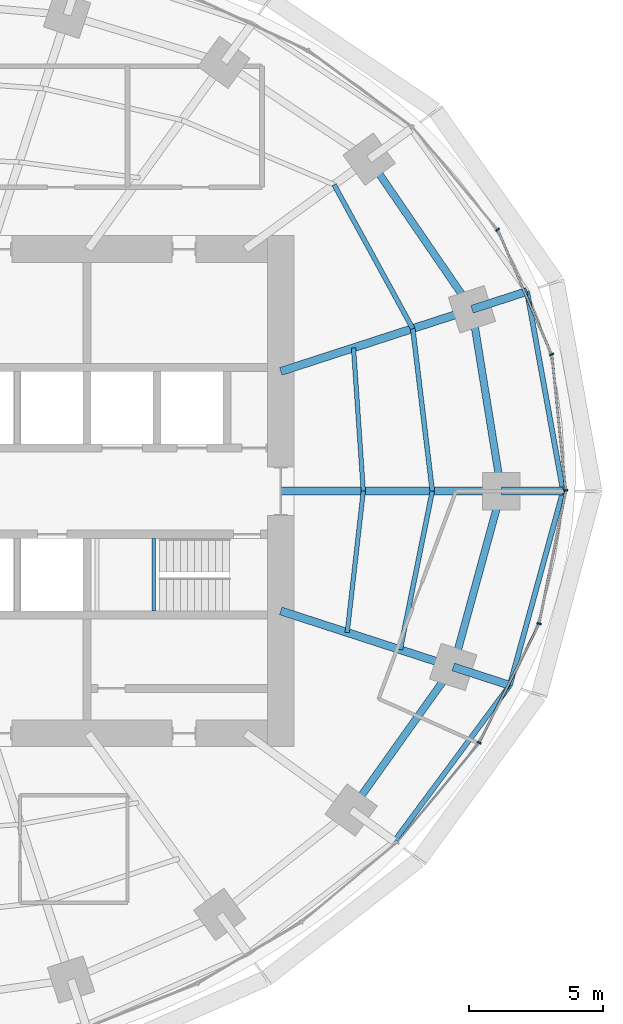
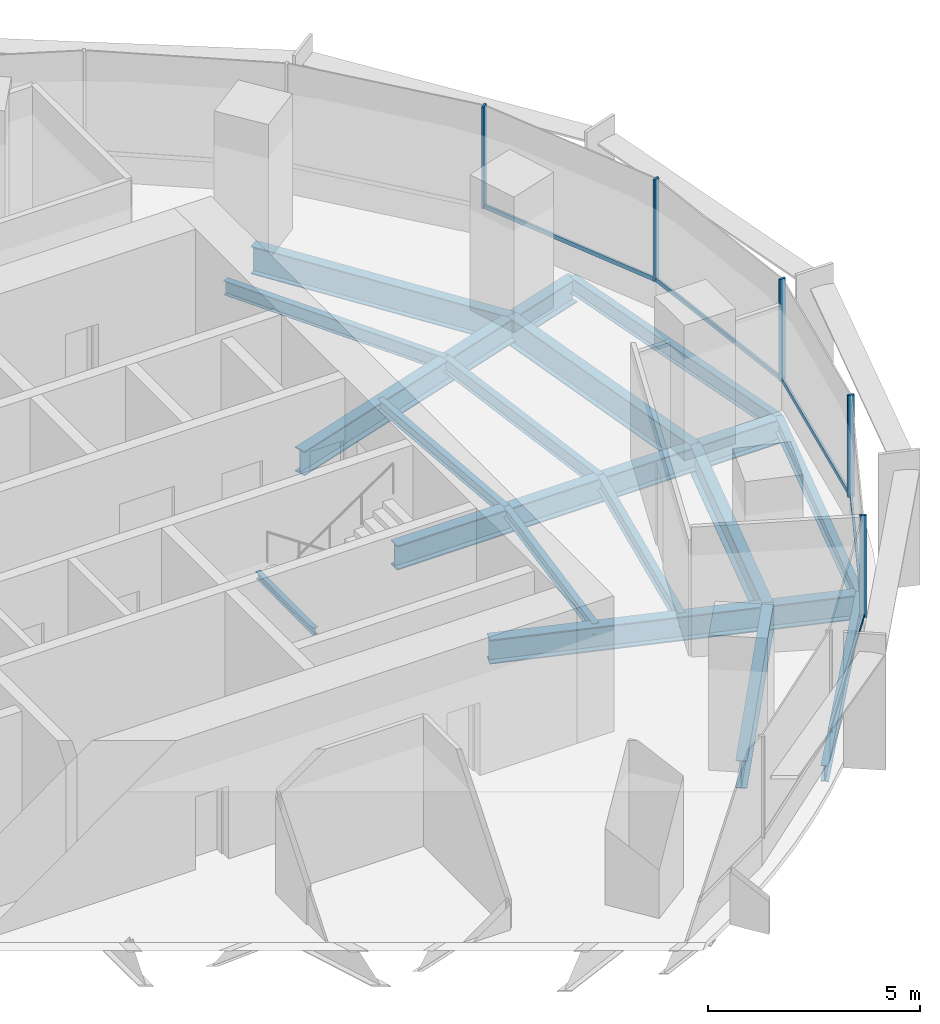
# One storey, part 6 of 14: 19 beams, 10 members, 2 elements without a shape of their own.
"""IFC4 building model written with IfcOpenShell, lengths in metres."""

from ifc_helpers import new_model, si_unit, direction, frame, origin, origin_2d, place, context, subcontext, project, spatial, rectangle, i_section, extrude, material, material_profile, profile_set, type_object, element, aggregate, save


model = new_model("IFC4")

# Units and contexts
model_context = context("Model", 3, precision=1e-05, world=origin(), true_north=direction((0.0, 1.0)))
body_context = subcontext(model_context, "Body", "Model", "MODEL_VIEW")
ifc_project = project(units=[si_unit("LENGTHUNIT", "METRE"), si_unit("AREAUNIT", "SQUARE_METRE"), si_unit("VOLUMEUNIT", "CUBIC_METRE"), si_unit("PLANEANGLEUNIT", "RADIAN"), si_unit("MASSUNIT", "GRAM", prefix="KILO")], contexts=[model_context])

# Site, building, storey
site_placement = place(None, origin())
site = spatial("IfcSite", under=ifc_project, at=site_placement, CompositionType="ELEMENT")
building_placement = place(site_placement, origin())
building = spatial("IfcBuilding", under=site, at=building_placement, Name="Marramba Exchange Tower", CompositionType="ELEMENT")
storey_placement = place(building_placement, frame((0.0, 0.0, 238.39990234375)))
storey = spatial("IfcBuildingStorey", under=building, at=storey_placement, Name="L58", CompositionType="ELEMENT", Elevation=238.39990234375)

# Beams
ifc_material_1 = material(Name="Steel AS/NZS 3679.2 grade 300", Category="steel")
ifc_material_profile_1 = material_profile(ifc_material_1, i_section(OverallWidth=0.300048828125, OverallDepth=0.699951171875, WebThickness=0.010009765625, FlangeThickness=0.031982421875, at=origin_2d()), Name="700WB173")
ifc_profile_set_1 = profile_set([ifc_material_profile_1], Name="Steel AS/NZS 3679.2 grade 300")
beam_type_1 = type_object("IfcBeamType", Name="Cantilever girder 700WB173", PredefinedType="BEAM", material=ifc_profile_set_1)
beam_1_placement = place(storey_placement, frame((21.89990234375, 0.0, -0.510009765625), z_axis=(1.0, 0.0, 0.0), x_axis=(0.0, 1.0, 0.0)))
element("IfcBeam", 1, at=beam_1_placement, inside=storey, type_object=beam_type_1, Name="Cantilever girder L58 TC01", PredefinedType="BEAM", context=body_context, shape_type="SweptSolid", body=[
    extrude(i_section(OverallWidth=0.300048828125, OverallDepth=0.699951171875, WebThickness=0.010009765625, FlangeThickness=0.031982421875, at=origin_2d()), origin(), (0.0, 0.0, 1.0), 2.294189453125),
])
beam_2_placement = place(storey_placement, frame((20.808349609375, 6.760986328125, -0.510009765625), z_axis=(0.951051587859, 0.309032162129, 0.0), x_axis=(-0.309032162129, 0.951051587859, 0.0)))
element("IfcBeam", 2, at=beam_2_placement, inside=storey, type_object=beam_type_1, Name="Cantilever girder L58 TC02", PredefinedType="BEAM", context=body_context, shape_type="SweptSolid", body=[
    extrude(i_section(OverallWidth=0.300048828125, OverallDepth=0.699951171875, WebThickness=0.010009765625, FlangeThickness=0.031982421875, at=origin_2d()), origin(), (0.0, 0.0, 1.0), 2.150390625),
])
beam_3_placement = place(storey_placement, frame((20.109375, -6.533935546875, -0.510009765625), z_axis=(0.951050283347, -0.309036176758, 0.0), x_axis=(0.309036176758, 0.951050283347, 0.0)))
element("IfcBeam", 3, at=beam_3_placement, inside=storey, type_object=beam_type_1, Name="Cantilever girder L58 TC20", PredefinedType="BEAM", context=body_context, shape_type="SweptSolid", body=[
    extrude(i_section(OverallWidth=0.300048828125, OverallDepth=0.699951171875, WebThickness=0.010009765625, FlangeThickness=0.031982421875, at=origin_2d()), origin(), (0.0, 0.0, 1.0), 2.212890625),
])
ifc_material_2 = material(Name="Steel AS/NZS 3679.1 grade 300", Category="steel")
ifc_material_profile_2 = material_profile(ifc_material_2, i_section(OverallWidth=0.166015625, OverallDepth=0.306884765625, WebThickness=0.006591796875, FlangeThickness=0.01171875, FilletRadius=0.011474609375, at=origin_2d()), Name="310UB46.2")
ifc_profile_set_2 = profile_set([ifc_material_profile_2], Name="Steel AS/NZS 3679.1 grade 300")
beam_type_2 = type_object("IfcBeamType", Name="Floor joist 310UB46.2", PredefinedType="JOIST", material=ifc_profile_set_2)
beam_4_placement = place(storey_placement, frame((16.7666015625, 0.0, -0.3134765625), z_axis=(-0.068096259546, 0.99767875563, 0.0), x_axis=(-0.99767875563, -0.068096259546, 0.0)))
element("IfcBeam", 4, at=beam_4_placement, inside=storey, type_object=beam_type_2, Name="Joist L58 bay 01 row 1", PredefinedType="JOIST", context=body_context, shape_type="SweptSolid", body=[
    extrude(i_section(OverallWidth=0.166015625, OverallDepth=0.306884765625, WebThickness=0.006591796875, FlangeThickness=0.01171875, FilletRadius=0.011474609375, at=origin_2d()), origin(), (0.0, 0.0, 1.0), 5.342041015625),
])
beam_5_placement = place(storey_placement, frame((16.169677734375, -5.25390625, -0.3134765625), z_axis=(0.112888968594, 0.993607609054, 0.0), x_axis=(-0.993607609054, 0.112888968594, 0.0)))
element("IfcBeam", 5, at=beam_5_placement, inside=storey, type_object=beam_type_2, Name="Joist L58 bay 20 row 1", PredefinedType="JOIST", context=body_context, shape_type="SweptSolid", body=[
    extrude(i_section(OverallWidth=0.166015625, OverallDepth=0.306884765625, WebThickness=0.006591796875, FlangeThickness=0.01171875, FilletRadius=0.011474609375, at=origin_2d()), origin(), (0.0, 0.0, 1.0), 5.28759765625),
])
ifc_material_profile_3 = material_profile(ifc_material_2, i_section(OverallWidth=0.177978515625, OverallDepth=0.406005859375, WebThickness=0.0078125, FlangeThickness=0.0126953125, FilletRadius=0.011474609375, at=origin_2d()), Name="410UB59.7")
ifc_profile_set_3 = profile_set([ifc_material_profile_3], Name="Steel AS/NZS 3679.1 grade 300")
beam_type_3 = type_object("IfcBeamType", Name="Floor joist 410UB59.7", PredefinedType="JOIST", material=ifc_profile_set_3)
beam_6_placement = place(storey_placement, frame((19.333251953125, 0.0, -0.36279296875), z_axis=(-0.119523078538, 0.992831422597, 0.0), x_axis=(-0.992831422597, -0.119523078538, 0.0)))
element("IfcBeam", 6, at=beam_6_placement, inside=storey, type_object=beam_type_3, Name="Joist L58 bay 01 row 2", PredefinedType="JOIST", context=body_context, shape_type="SweptSolid", body=[
    extrude(i_section(OverallWidth=0.177978515625, OverallDepth=0.406005859375, WebThickness=0.0078125, FlangeThickness=0.0126953125, FilletRadius=0.011474609375, at=origin_2d()), origin(), (0.0, 0.0, 1.0), 6.089111328125),
])
beam_7_placement = place(storey_placement, frame((18.60546875, 6.04541015625, -0.36279296875), z_axis=(-0.479584443791, 0.877495732909, 0.0), x_axis=(-0.877495732909, -0.479584443791, 0.0)))
element("IfcBeam", 7, at=beam_7_placement, inside=storey, type_object=beam_type_3, Name="Joist L58 bay 02 row 2", PredefinedType="JOIST", context=body_context, shape_type="SweptSolid", body=[
    extrude(i_section(OverallWidth=0.177978515625, OverallDepth=0.406005859375, WebThickness=0.0078125, FlangeThickness=0.0126953125, FilletRadius=0.011474609375, at=origin_2d()), origin(), (0.0, 0.0, 1.0), 6.094970703125),
])
beam_8_placement = place(storey_placement, frame((18.1396484375, -5.893798828125, -0.36279296875), z_axis=(0.198489047047, 0.980103105904, 0.0), x_axis=(-0.980103105904, 0.198489047047, 0.0)))
element("IfcBeam", 8, at=beam_8_placement, inside=storey, type_object=beam_type_3, Name="Joist L58 bay 20 row 2", PredefinedType="JOIST", context=body_context, shape_type="SweptSolid", body=[
    extrude(i_section(OverallWidth=0.177978515625, OverallDepth=0.406005859375, WebThickness=0.0078125, FlangeThickness=0.0126953125, FilletRadius=0.011474609375, at=origin_2d()), origin(), (0.0, 0.0, 1.0), 6.013427734375),
])

# Curtain wall, members
ifc_material_3 = material(Name="Aluminium framing, bronze anodised", Category="aluminium")
curtain_wall_type = type_object("IfcCurtainWallType", Name="Office ribbon curtain wall", PredefinedType="USERDEFINED", material=ifc_material_3)
curtain_wall_1_placement = place(storey_placement, origin())
curtain_wall_1 = element("IfcCurtainWall", 9, at=curtain_wall_1_placement, inside=storey, type_object=curtain_wall_type, Name="Curtain wall CW4 L58 F01-F05", ObjectType="RIBBON CURTAIN WALL", PredefinedType="USERDEFINED")
ifc_material_4 = material(Name="Aluminium mullion, bronze anodised", Category="aluminium")
ifc_material_profile_4 = material_profile(ifc_material_4, rectangle(XDim=0.159912109375, YDim=0.06005859375, at=origin_2d()), Name="CW4 mullion 60x160")
ifc_profile_set_4 = profile_set([ifc_material_profile_4], Name="Aluminium mullion, bronze anodised")
member_type_1 = type_object("IfcMemberType", Name="Office ribbon curtain wall mullion", PredefinedType="MULLION", material=ifc_profile_set_4)
member_1_placement = place(storey_placement, frame((24.291015625, 0.02978515625, 0.800048828125), z_axis=(0.0, 0.0, 1.0), x_axis=(-0.994843446001, -0.101422472607, 0.0)))
member_1 = element("IfcMember", 10, at=member_1_placement, type_object=member_type_1, Name="CW4 mullion 1", PredefinedType="MULLION", context=body_context, shape_type="SweptSolid", body=[
    extrude(rectangle(XDim=0.159912109375, YDim=0.06005859375, at=origin_2d()), origin(), (0.0, 0.0, 1.0), 2.93994140625),
])
member_2_placement = place(storey_placement, frame((23.766845703125, 5.081787109375, 0.800048828125), z_axis=(0.0, 0.0, 1.0), x_axis=(-0.918167104527, -0.396193346946, 0.0)))
member_2 = element("IfcMember", 11, at=member_2_placement, type_object=member_type_1, Name="CW4 mullion 1", PredefinedType="MULLION", context=body_context, shape_type="SweptSolid", body=[
    extrude(rectangle(XDim=0.159912109375, YDim=0.06005859375, at=origin_2d()), origin(), (0.0, 0.0, 1.0), 2.93994140625),
])
member_3_placement = place(storey_placement, frame((21.757080078125, 9.718505859375, 0.800048828125), z_axis=(0.0, 0.0, 1.0), x_axis=(-0.770574258342, -0.637350227411, 0.0)))
member_3 = element("IfcMember", 12, at=member_3_placement, type_object=member_type_1, Name="CW4 mullion 1", PredefinedType="MULLION", context=body_context, shape_type="SweptSolid", body=[
    extrude(rectangle(XDim=0.159912109375, YDim=0.06005859375, at=origin_2d()), origin(), (0.0, 0.0, 1.0), 2.93994140625),
])

curtain_wall_2_placement = place(storey_placement, origin())
curtain_wall_2 = element("IfcCurtainWall", 13, at=curtain_wall_2_placement, inside=storey, type_object=curtain_wall_type, Name="Curtain wall CW4 L58 F26-F30", ObjectType="RIBBON CURTAIN WALL", PredefinedType="USERDEFINED")
member_4_placement = place(storey_placement, frame((21.07568359375, -9.3505859375, 0.800048828125), z_axis=(0.0, 0.0, 1.0), x_axis=(-0.892689067591, 0.450673083956, 0.0)))
member_4 = element("IfcMember", 14, at=member_4_placement, type_object=member_type_1, Name="CW4 mullion 1", PredefinedType="MULLION", context=body_context, shape_type="SweptSolid", body=[
    extrude(rectangle(XDim=0.159912109375, YDim=0.06005859375, at=origin_2d()), origin(), (0.0, 0.0, 1.0), 2.93994140625),
])
member_5_placement = place(storey_placement, frame((23.30224609375, -4.92236328125, 0.800048828125), z_axis=(0.0, 0.0, 1.0), x_axis=(-0.980303812539, 0.197495405316, 0.0)))
member_5 = element("IfcMember", 15, at=member_5_placement, type_object=member_type_1, Name="CW4 mullion 1", PredefinedType="MULLION", context=body_context, shape_type="SweptSolid", body=[
    extrude(rectangle(XDim=0.159912109375, YDim=0.06005859375, at=origin_2d()), origin(), (0.0, 0.0, 1.0), 2.93994140625),
])

# Member
ifc_material_5 = material(Name="Aluminium transom, bronze anodised", Category="aluminium")
ifc_material_profile_5 = material_profile(ifc_material_5, rectangle(XDim=0.06005859375, YDim=0.1201171875, at=origin_2d()), Name="CW4 transom 60x120")
ifc_profile_set_5 = profile_set([ifc_material_profile_5], Name="Aluminium transom, bronze anodised")
member_type_2 = type_object("IfcMemberType", Name="Office ribbon curtain wall transom", PredefinedType="USERDEFINED", material=ifc_profile_set_5)
member_6_placement = place(storey_placement, frame((24.287841796875, 0.0595703125, 0.830078125), z_axis=(-0.101386007846, 0.994847162841, 0.0), x_axis=(-0.994847162841, -0.101386007846, 0.0)))
member_6 = element("IfcMember", 16, at=member_6_placement, type_object=member_type_2, Name="CW4 sill transom", ObjectType="TRANSOM", PredefinedType="USERDEFINED", context=body_context, shape_type="SweptSolid", body=[
    extrude(rectangle(XDim=0.06005859375, YDim=0.1201171875, at=origin_2d()), origin(), (0.0, 0.0, 1.0), 5.020751953125),
])

member_7_placement = place(storey_placement, frame((23.7548828125, 5.109375, 0.830078125), z_axis=(-0.396177573744, 0.918173910576, 0.0), x_axis=(-0.918173910576, -0.396177573744, 0.0)))
member_7 = element("IfcMember", 17, at=member_7_placement, type_object=member_type_2, Name="CW4 sill transom", ObjectType="TRANSOM", PredefinedType="USERDEFINED", context=body_context, shape_type="SweptSolid", body=[
    extrude(rectangle(XDim=0.06005859375, YDim=0.1201171875, at=origin_2d()), origin(), (0.0, 0.0, 1.0), 4.99462890625),
])

aggregate(curtain_wall_1, [member_1, member_6, member_2, member_7, member_3])

member_8_placement = place(storey_placement, frame((18.03515625, -13.029296875, 0.830078125), z_axis=(0.638146908901, 0.76991462037, 0.0), x_axis=(-0.76991462037, 0.638146908901, 0.0)))
member_8 = element("IfcMember", 18, at=member_8_placement, type_object=member_type_2, Name="CW4 sill transom", ObjectType="TRANSOM", PredefinedType="USERDEFINED", context=body_context, shape_type="SweptSolid", body=[
    extrude(rectangle(XDim=0.06005859375, YDim=0.1201171875, at=origin_2d()), origin(), (0.0, 0.0, 1.0), 4.7431640625),
])

member_9_placement = place(storey_placement, frame((21.089111328125, -9.323974609375, 0.830078125), z_axis=(0.450679681949, 0.892685736572, 0.0), x_axis=(-0.892685736572, 0.450679681949, 0.0)))
member_9 = element("IfcMember", 19, at=member_9_placement, type_object=member_type_2, Name="CW4 sill transom", ObjectType="TRANSOM", PredefinedType="USERDEFINED", context=body_context, shape_type="SweptSolid", body=[
    extrude(rectangle(XDim=0.06005859375, YDim=0.1201171875, at=origin_2d()), origin(), (0.0, 0.0, 1.0), 4.897705078125),
])

member_10_placement = place(storey_placement, frame((23.308349609375, -4.89306640625, 0.830078125), z_axis=(0.197461053167, 0.980310732616, 0.0), x_axis=(-0.980310732616, 0.197461053167, 0.0)))
member_10 = element("IfcMember", 20, at=member_10_placement, type_object=member_type_2, Name="CW4 sill transom", ObjectType="TRANSOM", PredefinedType="USERDEFINED", context=body_context, shape_type="SweptSolid", body=[
    extrude(rectangle(XDim=0.06005859375, YDim=0.1201171875, at=origin_2d()), origin(), (0.0, 0.0, 1.0), 4.991455078125),
])

aggregate(curtain_wall_2, [member_8, member_4, member_9, member_5, member_10])

# Beams
ifc_material_profile_6 = material_profile(ifc_material_1, i_section(OverallWidth=0.300048828125, OverallDepth=0.699951171875, WebThickness=0.010009765625, FlangeThickness=0.031982421875, at=origin_2d()), Name="700WB173")
ifc_profile_set_6 = profile_set([ifc_material_profile_6], Name="Steel AS/NZS 3679.2 grade 300")
beam_type_4 = type_object("IfcBeamType", Name="Radial girder 700WB173", PredefinedType="BEAM", material=ifc_profile_set_6)
beam_9_placement = place(storey_placement, frame((13.699951171875, 0.0, -0.510009765625), z_axis=(1.0, 0.0, 0.0), x_axis=(0.0, 1.0, 0.0)))
element("IfcBeam", 21, at=beam_9_placement, inside=storey, type_object=beam_type_4, Name="Radial girder L58 TC01", PredefinedType="BEAM", context=body_context, shape_type="SweptSolid", body=[
    extrude(i_section(OverallWidth=0.300048828125, OverallDepth=0.699951171875, WebThickness=0.010009765625, FlangeThickness=0.031982421875, at=origin_2d()), origin(), (0.0, 0.0, 1.0), 8.199951171875),
])
beam_10_placement = place(storey_placement, frame((13.699951171875, 4.451416015625, -0.510009765625), z_axis=(0.951059990189, 0.309006302624, 0.0), x_axis=(-0.309006302624, 0.951059990189, 0.0)))
element("IfcBeam", 22, at=beam_10_placement, inside=storey, type_object=beam_type_4, Name="Radial girder L58 TC02", PredefinedType="BEAM", context=body_context, shape_type="SweptSolid", body=[
    extrude(i_section(OverallWidth=0.300048828125, OverallDepth=0.699951171875, WebThickness=0.010009765625, FlangeThickness=0.031982421875, at=origin_2d()), origin(), (0.0, 0.0, 1.0), 7.47412109375),
])
beam_11_placement = place(storey_placement, frame((13.699951171875, -4.451416015625, -0.510009765625), z_axis=(0.951057759669, -0.309013167637, 0.0), x_axis=(0.309013167637, 0.951057759669, 0.0)))
element("IfcBeam", 23, at=beam_11_placement, inside=storey, type_object=beam_type_4, Name="Radial girder L58 TC20", PredefinedType="BEAM", context=body_context, shape_type="SweptSolid", body=[
    extrude(i_section(OverallWidth=0.300048828125, OverallDepth=0.699951171875, WebThickness=0.010009765625, FlangeThickness=0.031982421875, at=origin_2d()), origin(), (0.0, 0.0, 1.0), 6.7392578125),
])
ifc_material_profile_7 = material_profile(ifc_material_1, i_section(OverallWidth=0.27490234375, OverallDepth=0.800048828125, WebThickness=0.010009765625, FlangeThickness=0.02490234375, at=origin_2d()), Name="800WB168")
ifc_profile_set_7 = profile_set([ifc_material_profile_7], Name="Steel AS/NZS 3679.2 grade 300")
beam_type_5 = type_object("IfcBeamType", Name="Ring beam 800WB168", PredefinedType="SPANDREL", material=ifc_profile_set_7)
beam_12_placement = place(storey_placement, frame((21.89990234375, 0.0, -0.559814453125), z_axis=(-0.159384865399, 0.987216523708, 0.0), x_axis=(-0.987216523708, -0.159384865399, 0.0)))
element("IfcBeam", 24, at=beam_12_placement, inside=storey, type_object=beam_type_5, Name="Ring beam L58 TC01-TC02", PredefinedType="SPANDREL", context=body_context, shape_type="SweptSolid", body=[
    extrude(i_section(OverallWidth=0.27490234375, OverallDepth=0.800048828125, WebThickness=0.010009765625, FlangeThickness=0.02490234375, at=origin_2d()), origin(), (0.0, 0.0, 1.0), 6.8486328125),
])
beam_13_placement = place(storey_placement, frame((20.808349609375, 6.760986328125, -0.559814453125), z_axis=(-0.56516002054, 0.824981303535, 0.0), x_axis=(-0.824981303535, -0.56516002054, 0.0)))
element("IfcBeam", 25, at=beam_13_placement, inside=storey, type_object=beam_type_5, Name="Ring beam L58 TC02-TC03", PredefinedType="SPANDREL", context=body_context, shape_type="SweptSolid", body=[
    extrude(i_section(OverallWidth=0.27490234375, OverallDepth=0.800048828125, WebThickness=0.010009765625, FlangeThickness=0.02490234375, at=origin_2d()), origin(), (0.0, 0.0, 1.0), 6.763671875),
])
beam_14_placement = place(storey_placement, frame((16.3154296875, -11.853759765625, -0.559814453125), z_axis=(0.580637181111, 0.814162430914, 0.0), x_axis=(-0.814162430914, 0.580637181111, 0.0)))
element("IfcBeam", 26, at=beam_14_placement, inside=storey, type_object=beam_type_5, Name="Ring beam L58 TC19-TC20", PredefinedType="SPANDREL", context=body_context, shape_type="SweptSolid", body=[
    extrude(i_section(OverallWidth=0.27490234375, OverallDepth=0.800048828125, WebThickness=0.010009765625, FlangeThickness=0.02490234375, at=origin_2d()), origin(), (0.0, 0.0, 1.0), 6.5341796875),
])
beam_15_placement = place(storey_placement, frame((20.109375, -6.533935546875, -0.559814453125), z_axis=(0.264291166956, 0.964442937176, 0.0), x_axis=(-0.964442937176, 0.264291166956, 0.0)))
element("IfcBeam", 27, at=beam_15_placement, inside=storey, type_object=beam_type_5, Name="Ring beam L58 TC20-TC01", PredefinedType="SPANDREL", context=body_context, shape_type="SweptSolid", body=[
    extrude(i_section(OverallWidth=0.27490234375, OverallDepth=0.800048828125, WebThickness=0.010009765625, FlangeThickness=0.02490234375, at=origin_2d()), origin(), (0.0, 0.0, 1.0), 6.77490234375),
])
ifc_material_profile_8 = material_profile(ifc_material_2, i_section(OverallWidth=0.19091796875, OverallDepth=0.4599609375, WebThickness=0.010009765625, FlangeThickness=0.01611328125, FilletRadius=0.011474609375, at=origin_2d()), Name="460UB82.1")
ifc_profile_set_8 = profile_set([ifc_material_profile_8], Name="Steel AS/NZS 3679.1 grade 300")
beam_type_6 = type_object("IfcBeamType", Name="Slab edge beam 460UB82.1", PredefinedType="SPANDREL", material=ifc_profile_set_8)
beam_16_placement = place(storey_placement, frame((24.194091796875, 0.0, -0.389892578125), z_axis=(-0.177663817107, 0.984091239719, 0.0), x_axis=(-0.984091239719, -0.177663817107, 0.0)))
element("IfcBeam", 28, at=beam_16_placement, inside=storey, type_object=beam_type_6, Name="Slab edge beam L58 TC01-TC02", PredefinedType="SPANDREL", context=body_context, shape_type="SweptSolid", body=[
    extrude(i_section(OverallWidth=0.19091796875, OverallDepth=0.4599609375, WebThickness=0.010009765625, FlangeThickness=0.01611328125, FilletRadius=0.011474609375, at=origin_2d()), origin(), (0.0, 0.0, 1.0), 7.545654296875),
])
beam_17_placement = place(storey_placement, frame((17.916015625, -13.016845703125, -0.389892578125), z_axis=(0.595428136035, 0.803408572781, 0.0), x_axis=(-0.803408572781, 0.595428136035, 0.0)))
element("IfcBeam", 29, at=beam_17_placement, inside=storey, type_object=beam_type_6, Name="Slab edge beam L58 TC19-TC20", PredefinedType="SPANDREL", context=body_context, shape_type="SweptSolid", body=[
    extrude(i_section(OverallWidth=0.19091796875, OverallDepth=0.4599609375, WebThickness=0.010009765625, FlangeThickness=0.01611328125, FilletRadius=0.011474609375, at=origin_2d()), origin(), (0.0, 0.0, 1.0), 7.218017578125),
])
beam_18_placement = place(storey_placement, frame((22.2138671875, -7.2177734375, -0.389892578125), z_axis=(0.264577205901, 0.964364506874, 0.0), x_axis=(-0.964364506874, 0.264577205901, 0.0)))
element("IfcBeam", 30, at=beam_18_placement, inside=storey, type_object=beam_type_6, Name="Slab edge beam L58 TC20-TC01", PredefinedType="SPANDREL", context=body_context, shape_type="SweptSolid", body=[
    extrude(i_section(OverallWidth=0.19091796875, OverallDepth=0.4599609375, WebThickness=0.010009765625, FlangeThickness=0.01611328125, FilletRadius=0.011474609375, at=origin_2d()), origin(), (0.0, 0.0, 1.0), 7.484375),
])
ifc_material_profile_9 = material_profile(ifc_material_2, i_section(OverallWidth=0.133056640625, OverallDepth=0.202880859375, WebThickness=0.005859375, FlangeThickness=0.0078125, FilletRadius=0.0087890625, at=origin_2d()), Name="200UB25.4")
ifc_profile_set_9 = profile_set([ifc_material_profile_9], Name="Steel AS/NZS 3679.1 grade 300")
beam_type_7 = type_object("IfcBeamType", Name="Stair landing beam 200UB25.4", PredefinedType="BEAM", material=ifc_profile_set_9)
beam_19_placement = place(storey_placement, frame((8.9833984375, -4.449951171875, 1.648681640625), z_axis=(0.0, 1.0, 0.0), x_axis=(-1.0, 0.0, 0.0)))
element("IfcBeam", 31, at=beam_19_placement, inside=storey, type_object=beam_type_7, Name="Stair landing beam SLB1 ST2 L58 2", PredefinedType="BEAM", context=body_context, shape_type="SweptSolid", body=[
    extrude(i_section(OverallWidth=0.133056640625, OverallDepth=0.202880859375, WebThickness=0.005859375, FlangeThickness=0.0078125, FilletRadius=0.0087890625, at=origin_2d()), origin(), (0.0, 0.0, 1.0), 2.699951171875),
])

save(model, "model.ifc")
